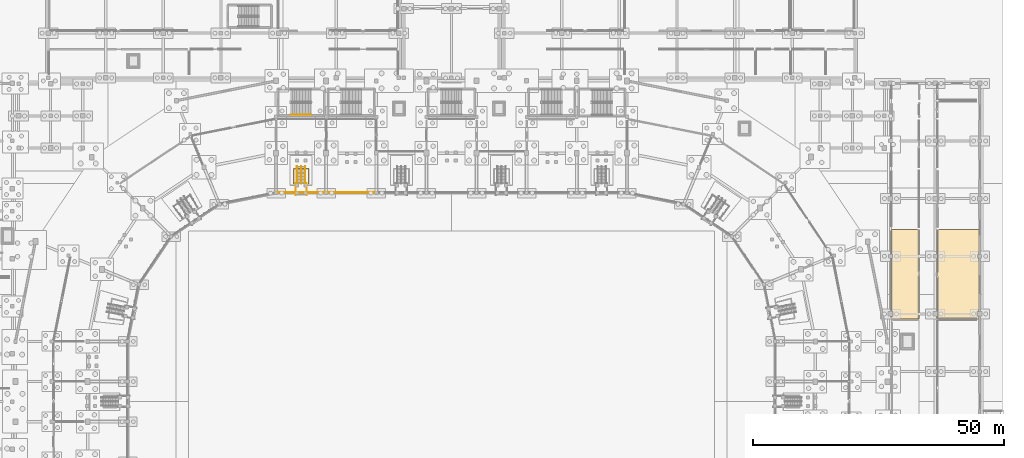
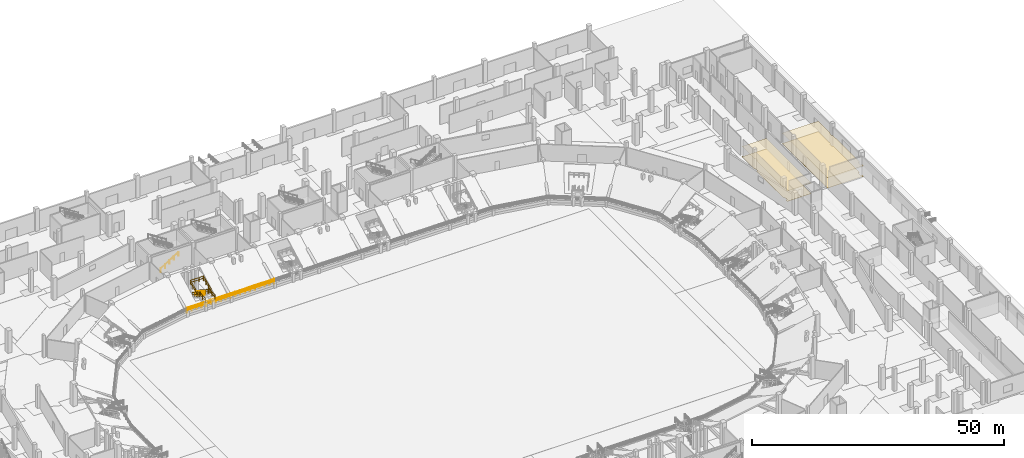
# One storey, part 62 of 68: 7 railings, 4 coverings.
"""IFC4 building model written with IfcOpenShell, lengths in metres."""

from ifc_helpers import new_model, si_unit, direction, frame, origin, origin_2d, place, context, subcontext, project, spatial, polyline, circle, outline, extrude, material, layer, layer_set, type_object, element, save


model = new_model("IFC4")

# Units and contexts
model_context = context("Model", 3, precision=1e-05, world=origin(), true_north=direction((0.0, 1.0)))
body_context = subcontext(model_context, "Body", "Model", "MODEL_VIEW")
ifc_project = project(units=[si_unit("LENGTHUNIT", "METRE"), si_unit("AREAUNIT", "SQUARE_METRE"), si_unit("VOLUMEUNIT", "CUBIC_METRE"), si_unit("PLANEANGLEUNIT", "RADIAN"), si_unit("MASSUNIT", "GRAM", prefix="KILO")], contexts=[model_context])

# Site, building, storey
site_placement = place(None, origin())
site = spatial("IfcSite", under=ifc_project, at=site_placement, CompositionType="ELEMENT")
building_placement = place(site_placement, origin())
building = spatial("IfcBuilding", under=site, at=building_placement, Name="Candeia Ridge Stadium", CompositionType="ELEMENT")
storey_placement = place(building_placement, origin())
storey = spatial("IfcBuildingStorey", under=building, at=storey_placement, Name="L00", CompositionType="ELEMENT", Elevation=0.0)

# Coverings
ifc_material_1 = material(Name="Perforated Acoustic Gypsum", Category="gypsum")
ifc_layer_1 = layer(ifc_material_1, 0.034912109375, Name="Perforated Acoustic Gypsum", Category="gypsum")
ifc_layer_set_1 = layer_set([ifc_layer_1], Name="Perforated Acoustic Gypsum")
covering_type_1 = type_object("IfcCoveringType", Name="Perforated Gypsum Acoustic Ceiling 35", PredefinedType="CEILING", material=ifc_layer_set_1)
covering_1_placement = place(storey_placement, frame((0.0, 0.0, 2.510009765625)))
element("IfcCovering", 1, at=covering_1_placement, inside=storey, type_object=covering_type_1, Name="Acoustic ceiling Field Broadcast OB Interface & Mixed Zone West Bay", PredefinedType="CEILING", context=body_context, shape_type="SweptSolid", body=[
    extrude(outline(polyline([(193.794189453125, 99.470703125), (193.791259765625, 99.47119140625), (193.78857421875, 99.472412109375), (193.785888671875, 99.473388671875), (193.783203125, 99.47509765625), (193.781005859375, 99.476806640625), (193.77880859375, 99.478759765625), (193.77685546875, 99.48095703125), (193.775146484375, 99.4833984375), (193.7734375, 99.48583984375), (193.772216796875, 99.488525390625), (193.771240234375, 99.4912109375), (193.7705078125, 99.494140625), (193.77001953125, 99.4970703125), (193.77001953125, 99.5), (193.77001953125, 100.010009765625), (194.090087890625, 100.010009765625), (194.090087890625, 100.989990234375), (193.77001953125, 100.989990234375), (193.77001953125, 111.610107421875), (193.989990234375, 111.610107421875), (193.989990234375, 112.389892578125), (193.77001953125, 112.389892578125), (193.77001953125, 117.300048828125), (193.77001953125, 117.302978515625), (193.7705078125, 117.305908203125), (193.771240234375, 117.30859375), (193.772216796875, 117.3115234375), (193.7734375, 117.314208984375), (193.775146484375, 117.316650390625), (193.77685546875, 117.319091796875), (193.77880859375, 117.3212890625), (193.781005859375, 117.3232421875), (193.783203125, 117.324951171875), (193.785888671875, 117.326416015625), (193.78857421875, 117.32763671875), (193.791259765625, 117.32861328125), (193.794189453125, 117.329345703125), (193.797119140625, 117.329833984375), (193.800048828125, 117.330078125), (199.300048828125, 117.330078125), (199.302978515625, 117.329833984375), (199.305908203125, 117.329345703125), (199.30859375, 117.32861328125), (199.3115234375, 117.32763671875), (199.314208984375, 117.326416015625), (199.316650390625, 117.324951171875), (199.319091796875, 117.3232421875), (199.3212890625, 117.3212890625), (199.3232421875, 117.319091796875), (199.324951171875, 117.316650390625), (199.326416015625, 117.314208984375), (199.32763671875, 117.3115234375), (199.32861328125, 117.30859375), (199.329345703125, 117.305908203125), (199.329833984375, 117.302978515625), (199.330078125, 117.300048828125), (199.330078125, 99.5), (199.329833984375, 99.4970703125), (199.329345703125, 99.494140625), (199.32861328125, 99.4912109375), (199.32763671875, 99.488525390625), (199.326416015625, 99.48583984375), (199.324951171875, 99.4833984375), (199.3232421875, 99.48095703125), (199.3212890625, 99.478759765625), (199.319091796875, 99.476806640625), (199.316650390625, 99.47509765625), (199.314208984375, 99.473388671875), (199.3115234375, 99.472412109375), (199.30859375, 99.47119140625), (199.305908203125, 99.470703125), (199.302978515625, 99.47021484375), (199.300048828125, 99.469970703125), (193.800048828125, 99.469970703125), (193.797119140625, 99.47021484375), (193.794189453125, 99.470703125)])), origin(), (0.0, 0.0, 1.0), 0.0400390625),
])
covering_2_placement = place(storey_placement, frame((0.0, 0.0, 2.510009765625)))
element("IfcCovering", 2, at=covering_2_placement, inside=storey, type_object=covering_type_1, Name="Acoustic ceiling Field Broadcast OB Interface & Mixed Zone", PredefinedType="CEILING", context=body_context, shape_type="SweptSolid", body=[
    extrude(outline(polyline([(202.994140625, 99.470703125), (202.9912109375, 99.47119140625), (202.988525390625, 99.472412109375), (202.98583984375, 99.473388671875), (202.9833984375, 99.47509765625), (202.98095703125, 99.476806640625), (202.978759765625, 99.478759765625), (202.976806640625, 99.48095703125), (202.97509765625, 99.4833984375), (202.973388671875, 99.48583984375), (202.972412109375, 99.488525390625), (202.97119140625, 99.4912109375), (202.970703125, 99.494140625), (202.97021484375, 99.4970703125), (202.969970703125, 99.5), (202.969970703125, 100.010009765625), (202.989990234375, 100.010009765625), (202.989990234375, 100.989990234375), (202.969970703125, 100.989990234375), (202.969970703125, 117.300048828125), (202.97021484375, 117.302978515625), (202.970703125, 117.305908203125), (202.97119140625, 117.30859375), (202.972412109375, 117.3115234375), (202.973388671875, 117.314208984375), (202.97509765625, 117.316650390625), (202.976806640625, 117.319091796875), (202.978759765625, 117.3212890625), (202.98095703125, 117.3232421875), (202.9833984375, 117.324951171875), (202.98583984375, 117.326416015625), (202.988525390625, 117.32763671875), (202.9912109375, 117.32861328125), (202.994140625, 117.329345703125), (202.9970703125, 117.329833984375), (203.0, 117.330078125), (211.199951171875, 117.330078125), (211.202880859375, 117.329833984375), (211.205810546875, 117.329345703125), (211.208740234375, 117.32861328125), (211.21142578125, 117.32763671875), (211.214111328125, 117.326416015625), (211.216796875, 117.324951171875), (211.218994140625, 117.3232421875), (211.22119140625, 117.3212890625), (211.22314453125, 117.319091796875), (211.224853515625, 117.316650390625), (211.2265625, 117.314208984375), (211.227783203125, 117.3115234375), (211.228759765625, 117.30859375), (211.2294921875, 117.305908203125), (211.22998046875, 117.302978515625), (211.22998046875, 117.300048828125), (211.22998046875, 112.389892578125), (211.010009765625, 112.389892578125), (211.010009765625, 111.610107421875), (211.22998046875, 111.610107421875), (211.22998046875, 100.989990234375), (210.909912109375, 100.989990234375), (210.909912109375, 100.010009765625), (211.22998046875, 100.010009765625), (211.22998046875, 99.5), (211.22998046875, 99.4970703125), (211.2294921875, 99.494140625), (211.228759765625, 99.4912109375), (211.227783203125, 99.488525390625), (211.2265625, 99.48583984375), (211.224853515625, 99.4833984375), (211.22314453125, 99.48095703125), (211.22119140625, 99.478759765625), (211.218994140625, 99.476806640625), (211.216796875, 99.47509765625), (211.214111328125, 99.473388671875), (211.21142578125, 99.472412109375), (211.208740234375, 99.47119140625), (211.205810546875, 99.470703125), (211.202880859375, 99.47021484375), (211.199951171875, 99.469970703125), (203.0, 99.469970703125), (202.9970703125, 99.47021484375), (202.994140625, 99.470703125)])), origin(), (0.0, 0.0, 1.0), 0.0400390625),
])
ifc_material_2 = material(Name="Basalt Terrazzo Finish", Category="masonry")
ifc_layer_2 = layer(ifc_material_2, 0.02490234375, Name="Basalt Terrazzo Finish", Category="masonry")
ifc_layer_set_2 = layer_set([ifc_layer_2], Name="Basalt Terrazzo Finish")
covering_type_2 = type_object("IfcCoveringType", Name="Polished Basalt Terrazzo Flooring 25", PredefinedType="FLOORING", material=ifc_layer_set_2)
covering_3_placement = place(storey_placement, origin())
element("IfcCovering", 3, at=covering_3_placement, inside=storey, type_object=covering_type_2, Name="Interior finish flooring Field Broadcast OB Interface & Mixed Zone West Bay", PredefinedType="FLOORING", context=body_context, shape_type="SweptSolid", body=[
    extrude(outline(polyline([(193.794189453125, 99.470703125), (193.791259765625, 99.47119140625), (193.78857421875, 99.472412109375), (193.785888671875, 99.473388671875), (193.783203125, 99.47509765625), (193.781005859375, 99.476806640625), (193.77880859375, 99.478759765625), (193.77685546875, 99.48095703125), (193.775146484375, 99.4833984375), (193.7734375, 99.48583984375), (193.772216796875, 99.488525390625), (193.771240234375, 99.4912109375), (193.7705078125, 99.494140625), (193.77001953125, 99.4970703125), (193.77001953125, 99.5), (193.77001953125, 100.010009765625), (194.090087890625, 100.010009765625), (194.090087890625, 100.989990234375), (193.77001953125, 100.989990234375), (193.77001953125, 111.610107421875), (193.989990234375, 111.610107421875), (193.989990234375, 112.389892578125), (193.77001953125, 112.389892578125), (193.77001953125, 117.300048828125), (193.77001953125, 117.302978515625), (193.7705078125, 117.305908203125), (193.771240234375, 117.30859375), (193.772216796875, 117.3115234375), (193.7734375, 117.314208984375), (193.775146484375, 117.316650390625), (193.77685546875, 117.319091796875), (193.77880859375, 117.3212890625), (193.781005859375, 117.3232421875), (193.783203125, 117.324951171875), (193.785888671875, 117.326416015625), (193.78857421875, 117.32763671875), (193.791259765625, 117.32861328125), (193.794189453125, 117.329345703125), (193.797119140625, 117.329833984375), (193.800048828125, 117.330078125), (199.300048828125, 117.330078125), (199.302978515625, 117.329833984375), (199.305908203125, 117.329345703125), (199.30859375, 117.32861328125), (199.3115234375, 117.32763671875), (199.314208984375, 117.326416015625), (199.316650390625, 117.324951171875), (199.319091796875, 117.3232421875), (199.3212890625, 117.3212890625), (199.3232421875, 117.319091796875), (199.324951171875, 117.316650390625), (199.326416015625, 117.314208984375), (199.32763671875, 117.3115234375), (199.32861328125, 117.30859375), (199.329345703125, 117.305908203125), (199.329833984375, 117.302978515625), (199.330078125, 117.300048828125), (199.330078125, 99.5), (199.329833984375, 99.4970703125), (199.329345703125, 99.494140625), (199.32861328125, 99.4912109375), (199.32763671875, 99.488525390625), (199.326416015625, 99.48583984375), (199.324951171875, 99.4833984375), (199.3232421875, 99.48095703125), (199.3212890625, 99.478759765625), (199.319091796875, 99.476806640625), (199.316650390625, 99.47509765625), (199.314208984375, 99.473388671875), (199.3115234375, 99.472412109375), (199.30859375, 99.47119140625), (199.305908203125, 99.470703125), (199.302978515625, 99.47021484375), (199.300048828125, 99.469970703125), (193.800048828125, 99.469970703125), (193.797119140625, 99.47021484375), (193.794189453125, 99.470703125)])), origin(), (0.0, 0.0, 1.0), 0.02001953125),
])
covering_4_placement = place(storey_placement, origin())
element("IfcCovering", 4, at=covering_4_placement, inside=storey, type_object=covering_type_2, Name="Interior finish flooring Field Broadcast OB Interface & Mixed Zone", PredefinedType="FLOORING", context=body_context, shape_type="SweptSolid", body=[
    extrude(outline(polyline([(202.994140625, 99.470703125), (202.9912109375, 99.47119140625), (202.988525390625, 99.472412109375), (202.98583984375, 99.473388671875), (202.9833984375, 99.47509765625), (202.98095703125, 99.476806640625), (202.978759765625, 99.478759765625), (202.976806640625, 99.48095703125), (202.97509765625, 99.4833984375), (202.973388671875, 99.48583984375), (202.972412109375, 99.488525390625), (202.97119140625, 99.4912109375), (202.970703125, 99.494140625), (202.97021484375, 99.4970703125), (202.969970703125, 99.5), (202.969970703125, 100.010009765625), (202.989990234375, 100.010009765625), (202.989990234375, 100.989990234375), (202.969970703125, 100.989990234375), (202.969970703125, 117.300048828125), (202.97021484375, 117.302978515625), (202.970703125, 117.305908203125), (202.97119140625, 117.30859375), (202.972412109375, 117.3115234375), (202.973388671875, 117.314208984375), (202.97509765625, 117.316650390625), (202.976806640625, 117.319091796875), (202.978759765625, 117.3212890625), (202.98095703125, 117.3232421875), (202.9833984375, 117.324951171875), (202.98583984375, 117.326416015625), (202.988525390625, 117.32763671875), (202.9912109375, 117.32861328125), (202.994140625, 117.329345703125), (202.9970703125, 117.329833984375), (203.0, 117.330078125), (211.199951171875, 117.330078125), (211.202880859375, 117.329833984375), (211.205810546875, 117.329345703125), (211.208740234375, 117.32861328125), (211.21142578125, 117.32763671875), (211.214111328125, 117.326416015625), (211.216796875, 117.324951171875), (211.218994140625, 117.3232421875), (211.22119140625, 117.3212890625), (211.22314453125, 117.319091796875), (211.224853515625, 117.316650390625), (211.2265625, 117.314208984375), (211.227783203125, 117.3115234375), (211.228759765625, 117.30859375), (211.2294921875, 117.305908203125), (211.22998046875, 117.302978515625), (211.22998046875, 117.300048828125), (211.22998046875, 112.389892578125), (211.010009765625, 112.389892578125), (211.010009765625, 111.610107421875), (211.22998046875, 111.610107421875), (211.22998046875, 100.989990234375), (210.909912109375, 100.989990234375), (210.909912109375, 100.010009765625), (211.22998046875, 100.010009765625), (211.22998046875, 99.5), (211.22998046875, 99.4970703125), (211.2294921875, 99.494140625), (211.228759765625, 99.4912109375), (211.227783203125, 99.488525390625), (211.2265625, 99.48583984375), (211.224853515625, 99.4833984375), (211.22314453125, 99.48095703125), (211.22119140625, 99.478759765625), (211.218994140625, 99.476806640625), (211.216796875, 99.47509765625), (211.214111328125, 99.473388671875), (211.21142578125, 99.472412109375), (211.208740234375, 99.47119140625), (211.205810546875, 99.470703125), (211.202880859375, 99.47021484375), (211.199951171875, 99.469970703125), (203.0, 99.469970703125), (202.9970703125, 99.47021484375), (202.994140625, 99.470703125)])), origin(), (0.0, 0.0, 1.0), 0.02001953125),
])

# Railings
ifc_material_3 = material(Name="Galvanized Powder-Coated Steel", Category="steel")
ifc_layer_3 = layer(ifc_material_3, 0.074951171875, Name="Galvanized Powder-Coated Steel", Category="steel")
ifc_layer_set_3 = layer_set([ifc_layer_3], Name="Galvanized Powder-Coated Steel")
railing_type_1 = type_object("IfcRailingType", Name="Spectator Bowl Front Guardrail 1120", PredefinedType="GUARDRAIL", material=ifc_layer_set_3)
for number, where, name in (
    (5, (91.0, 124.719970703125, 0.85009765625), "Stand T1 front safety guardrail bay 06"),
    (6, (81.0, 124.719970703125, 0.85009765625), "Stand T1 front safety guardrail bay 07"),
):
    element("IfcRailing", number, at=place(storey_placement, frame(where)), inside=storey, type_object=railing_type_1, Name=name, PredefinedType="GUARDRAIL", context=body_context, shape_type="SweptSolid", body=[
        extrude(circle(Radius=0.02392578125, at=origin_2d()), frame((0.0, 0.0, 1.09619140625), z_axis=(-1.0, 0.0, 0.0), x_axis=(0.0, -1.0, 0.0)), (0.0, 0.0, 1.0), 10.0),
        extrude(circle(Radius=0.02392578125, at=origin_2d()), frame((0.0, 0.0, 0.56005859375), z_axis=(-1.0, 0.0, 0.0), x_axis=(0.0, -1.0, 0.0)), (0.0, 0.0, 1.0), 10.0),
        extrude(circle(Radius=0.02099609375, at=origin_2d()), origin(), (0.0, 0.0, 1.0), 1.072021484375),
        extrude(circle(Radius=0.02099609375, at=origin_2d()), frame((-1.111083984375, 0.0, 0.0)), (0.0, 0.0, 1.0), 1.072021484375),
        extrude(circle(Radius=0.02099609375, at=origin_2d()), frame((-2.22216796875, 0.0, 0.0)), (0.0, 0.0, 1.0), 1.072021484375),
        extrude(circle(Radius=0.02099609375, at=origin_2d()), frame((-3.333251953125, 0.0, 0.0)), (0.0, 0.0, 1.0), 1.072021484375),
        extrude(circle(Radius=0.02099609375, at=origin_2d()), frame((-4.4443359375, 0.0, 0.0)), (0.0, 0.0, 1.0), 1.072021484375),
        extrude(circle(Radius=0.02099609375, at=origin_2d()), frame((-5.5556640625, 0.0, 0.0)), (0.0, 0.0, 1.0), 1.072021484375),
        extrude(circle(Radius=0.02099609375, at=origin_2d()), frame((-6.666748046875, 0.0, 0.0)), (0.0, 0.0, 1.0), 1.072021484375),
        extrude(circle(Radius=0.02099609375, at=origin_2d()), frame((-7.77783203125, 0.0, 0.0)), (0.0, 0.0, 1.0), 1.072021484375),
        extrude(circle(Radius=0.02099609375, at=origin_2d()), frame((-8.888916015625, 0.0, 0.0)), (0.0, 0.0, 1.0), 1.072021484375),
        extrude(circle(Radius=0.02099609375, at=origin_2d()), frame((-10.0, 0.0, 0.0)), (0.0, 0.0, 1.0), 1.072021484375),
    ])
ifc_material_4 = material(Name="Brushed Stainless Steel", Category="steel")
ifc_layer_4 = layer(ifc_material_4, 0.048095703125, Name="Brushed Stainless Steel", Category="steel")
ifc_layer_set_4 = layer_set([ifc_layer_4], Name="Brushed Stainless Steel")
railing_type_2 = type_object("IfcRailingType", Name="Stair Wall & Flight Handrail 900", PredefinedType="HANDRAIL", material=ifc_layer_set_4)
railing_1_placement = place(storey_placement, frame((73.949951171875, 140.25, 0.179931640625)))
element("IfcRailing", 7, at=railing_1_placement, inside=storey, type_object=railing_type_2, Name="L00 ST01 stair handrail 1", PredefinedType="HANDRAIL", context=body_context, shape_type="SweptSolid", body=[
    extrude(circle(Radius=0.02392578125, at=origin_2d()), frame((0.0, 0.0, 0.8759765625), z_axis=(0.849641744969, 0.0, 0.527360318194), x_axis=(0.0, 1.0, 0.0)), (0.0, 0.0, 1.0), 4.778564453125),
    extrude(circle(Radius=0.02099609375, at=origin_2d()), origin(), (0.0, 0.0, 1.0), 0.851806640625),
    extrude(circle(Radius=0.02099609375, at=origin_2d()), frame((1.01513671875, 0.0, 0.6298828125)), (0.0, 0.0, 1.0), 0.851806640625),
    extrude(circle(Radius=0.02099609375, at=origin_2d()), frame((2.030029296875, 0.0, 1.260009765625)), (0.0, 0.0, 1.0), 0.851806640625),
    extrude(circle(Radius=0.02099609375, at=origin_2d()), frame((3.044921875, 0.0, 1.89013671875)), (0.0, 0.0, 1.0), 0.851806640625),
    extrude(circle(Radius=0.02099609375, at=origin_2d()), frame((4.06005859375, 0.0, 2.52001953125)), (0.0, 0.0, 1.0), 0.851806640625),
])
railing_2_placement = place(storey_placement, frame((76.0, 129.89208984375, 0.17236328125)))
element("IfcRailing", 8, at=railing_2_placement, inside=storey, type_object=railing_type_2, Name="Vomitory stair handrail VS04", PredefinedType="HANDRAIL", context=body_context, shape_type="SweptSolid", body=[
    extrude(circle(Radius=0.02392578125, at=origin_2d()), frame((0.0, 0.0, 0.8759765625), z_axis=(0.0, -0.855774125036, 0.517349637014), x_axis=(1.0, 0.0, 0.0)), (0.0, 0.0, 1.0), 3.99658203125),
    extrude(circle(Radius=0.02099609375, at=origin_2d()), origin(), (0.0, 0.0, 1.0), 0.851806640625),
    extrude(circle(Radius=0.02099609375, at=origin_2d()), frame((0.0, -0.85498046875, 0.516845703125)), (0.0, 0.0, 1.0), 0.851806640625),
    extrude(circle(Radius=0.02099609375, at=origin_2d()), frame((0.0, -1.7099609375, 1.03369140625)), (0.0, 0.0, 1.0), 0.851806640625),
    extrude(circle(Radius=0.02099609375, at=origin_2d()), frame((0.0, -2.565185546875, 1.55078125)), (0.0, 0.0, 1.0), 0.851806640625),
    extrude(circle(Radius=0.02099609375, at=origin_2d()), frame((0.0, -3.420166015625, 2.067626953125)), (0.0, 0.0, 1.0), 0.851806640625),
])
ifc_layer_5 = layer(ifc_material_3, 0.070068359375, Name="Galvanized Powder-Coated Steel", Category="steel")
ifc_layer_set_5 = layer_set([ifc_layer_5], Name="Galvanized Powder-Coated Steel")
railing_type_3 = type_object("IfcRailingType", Name="Vomitory Portal Guardrail 1100", PredefinedType="GUARDRAIL", material=ifc_layer_set_5)
railing_3_placement = place(storey_placement, frame((77.5, 126.471923828125, 2.239990234375)))
element("IfcRailing", 9, at=railing_3_placement, inside=storey, type_object=railing_type_3, Name="Vomitory portal guardrail VS04", PredefinedType="GUARDRAIL", context=body_context, shape_type="SweptSolid", body=[
    extrude(circle(Radius=0.02392578125, at=origin_2d()), frame((0.0, 0.0, 1.076171875), z_axis=(0.0, 0.92538053309, 0.379039402937), x_axis=(-1.0, 0.0, 0.0)), (0.0, 0.0, 1.0), 3.203125),
    extrude(circle(Radius=0.02392578125, at=origin_2d()), frame((0.0, 0.0, 0.550048828125), z_axis=(0.0, 0.92538053309, 0.379039402937), x_axis=(-1.0, 0.0, 0.0)), (0.0, 0.0, 1.0), 3.203125),
    extrude(circle(Radius=0.02392578125, at=origin_2d()), frame((0.0, 2.964111328125, 2.2900390625), z_axis=(-1.0, 0.0, 0.0), x_axis=(0.0, -1.0, 0.0)), (0.0, 0.0, 1.0), 3.0),
    extrude(circle(Radius=0.02392578125, at=origin_2d()), frame((0.0, 2.964111328125, 1.76416015625), z_axis=(-1.0, 0.0, 0.0), x_axis=(0.0, -1.0, 0.0)), (0.0, 0.0, 1.0), 3.0),
    extrude(circle(Radius=0.02392578125, at=origin_2d()), frame((-3.0, 2.964111328125, 2.2900390625), z_axis=(0.0, -0.92538053309, -0.379039402937), x_axis=(1.0, 0.0, 0.0)), (0.0, 0.0, 1.0), 3.203125),
    extrude(circle(Radius=0.02392578125, at=origin_2d()), frame((-3.0, 2.964111328125, 1.76416015625), z_axis=(0.0, -0.92538053309, -0.379039402937), x_axis=(1.0, 0.0, 0.0)), (0.0, 0.0, 1.0), 3.203125),
    extrude(circle(Radius=0.02099609375, at=origin_2d()), origin(), (0.0, 0.0, 1.0), 1.052001953125),
    extrude(circle(Radius=0.02099609375, at=origin_2d()), frame((0.0, 0.988037109375, 0.40478515625)), (0.0, 0.0, 1.0), 1.052001953125),
    extrude(circle(Radius=0.02099609375, at=origin_2d()), frame((0.0, 1.97607421875, 0.809326171875)), (0.0, 0.0, 1.0), 1.052001953125),
    extrude(circle(Radius=0.02099609375, at=origin_2d()), frame((0.0, 2.964111328125, 1.214111328125)), (0.0, 0.0, 1.0), 1.052001953125),
    extrude(circle(Radius=0.02099609375, at=origin_2d()), frame((-1.0, 2.964111328125, 1.214111328125)), (0.0, 0.0, 1.0), 1.052001953125),
    extrude(circle(Radius=0.02099609375, at=origin_2d()), frame((-2.0, 2.964111328125, 1.214111328125)), (0.0, 0.0, 1.0), 1.052001953125),
    extrude(circle(Radius=0.02099609375, at=origin_2d()), frame((-3.0, 2.964111328125, 1.214111328125)), (0.0, 0.0, 1.0), 1.052001953125),
    extrude(circle(Radius=0.02099609375, at=origin_2d()), frame((-3.0, 1.97607421875, 0.809326171875)), (0.0, 0.0, 1.0), 1.052001953125),
    extrude(circle(Radius=0.02099609375, at=origin_2d()), frame((-3.0, 0.988037109375, 0.40478515625)), (0.0, 0.0, 1.0), 1.052001953125),
    extrude(circle(Radius=0.02099609375, at=origin_2d()), frame((-3.0, 0.0, 0.0)), (0.0, 0.0, 1.0), 1.052001953125),
])
railing_4_placement = place(storey_placement, frame((76.820068359375, 129.89208984375, 0.0)))
element("IfcRailing", 10, at=railing_4_placement, inside=storey, type_object=railing_type_3, Name="Vomitory stair & landing side guardrail VS04-L", PredefinedType="GUARDRAIL", context=body_context, shape_type="SweptSolid", body=[
    extrude(circle(Radius=0.02392578125, at=origin_2d()), frame((0.0, 0.0, 1.076171875), z_axis=(0.0, -0.836551734384, 0.547887940822), x_axis=(1.0, 0.0, 0.0)), (0.0, 0.0, 1.0), 4.08837890625),
    extrude(circle(Radius=0.02392578125, at=origin_2d()), frame((0.0, 0.0, 0.550048828125), z_axis=(0.0, -0.836551734384, 0.547887940822), x_axis=(1.0, 0.0, 0.0)), (0.0, 0.0, 1.0), 4.08837890625),
    extrude(circle(Radius=0.02392578125, at=origin_2d()), frame((0.0, -3.420166015625, 3.31591796875), z_axis=(0.989932225045, 0.141542183877, 0.0), x_axis=(-0.141542183877, 0.989932225045, 0.0)), (0.0, 0.0, 1.0), 0.282958984375),
    extrude(circle(Radius=0.02392578125, at=origin_2d()), frame((0.0, -3.420166015625, 2.7900390625), z_axis=(0.989932225045, 0.141542183877, 0.0), x_axis=(-0.141542183877, 0.989932225045, 0.0)), (0.0, 0.0, 1.0), 0.282958984375),
    extrude(circle(Radius=0.02392578125, at=origin_2d()), frame((0.280029296875, -3.380126953125, 3.31591796875), z_axis=(0.0, -1.0, 0.0), x_axis=(1.0, 0.0, 0.0)), (0.0, 0.0, 1.0), 2.320068359375),
    extrude(circle(Radius=0.02392578125, at=origin_2d()), frame((0.280029296875, -3.380126953125, 2.7900390625), z_axis=(0.0, -1.0, 0.0), x_axis=(1.0, 0.0, 0.0)), (0.0, 0.0, 1.0), 2.320068359375),
    extrude(circle(Radius=0.02099609375, at=origin_2d()), origin(), (0.0, 0.0, 1.0), 1.052001953125),
    extrude(circle(Radius=0.02099609375, at=origin_2d()), frame((0.0, -0.85498046875, 0.56005859375)), (0.0, 0.0, 1.0), 1.052001953125),
    extrude(circle(Radius=0.02099609375, at=origin_2d()), frame((0.0, -1.7099609375, 1.1201171875)), (0.0, 0.0, 1.0), 1.052001953125),
    extrude(circle(Radius=0.02099609375, at=origin_2d()), frame((0.0, -2.565185546875, 1.679931640625)), (0.0, 0.0, 1.0), 1.052001953125),
    extrude(circle(Radius=0.02099609375, at=origin_2d()), frame((0.0, -3.420166015625, 2.239990234375)), (0.0, 0.0, 1.0), 1.052001953125),
    extrude(circle(Radius=0.02099609375, at=origin_2d()), frame((0.280029296875, -3.380126953125, 2.239990234375)), (0.0, 0.0, 1.0), 1.052001953125),
    extrude(circle(Radius=0.02099609375, at=origin_2d()), frame((0.280029296875, -4.5400390625, 2.239990234375)), (0.0, 0.0, 1.0), 1.052001953125),
    extrude(circle(Radius=0.02099609375, at=origin_2d()), frame((0.280029296875, -5.7001953125, 2.239990234375)), (0.0, 0.0, 1.0), 1.052001953125),
])
railing_5_placement = place(storey_placement, frame((75.179931640625, 129.89208984375, 0.0)))
element("IfcRailing", 11, at=railing_5_placement, inside=storey, type_object=railing_type_3, Name="Vomitory stair & landing side guardrail VS04-R", PredefinedType="GUARDRAIL", context=body_context, shape_type="SweptSolid", body=[
    extrude(circle(Radius=0.02392578125, at=origin_2d()), frame((0.0, 0.0, 1.076171875), z_axis=(0.0, -0.836551734384, 0.547887940822), x_axis=(1.0, 0.0, 0.0)), (0.0, 0.0, 1.0), 4.08837890625),
    extrude(circle(Radius=0.02392578125, at=origin_2d()), frame((0.0, 0.0, 0.550048828125), z_axis=(0.0, -0.836551734384, 0.547887940822), x_axis=(1.0, 0.0, 0.0)), (0.0, 0.0, 1.0), 4.08837890625),
    extrude(circle(Radius=0.02392578125, at=origin_2d()), frame((0.0, -3.420166015625, 3.31591796875), z_axis=(-0.989932225045, 0.141542183877, 0.0), x_axis=(-0.141542183877, -0.989932225045, 0.0)), (0.0, 0.0, 1.0), 0.282958984375),
    extrude(circle(Radius=0.02392578125, at=origin_2d()), frame((0.0, -3.420166015625, 2.7900390625), z_axis=(-0.989932225045, 0.141542183877, 0.0), x_axis=(-0.141542183877, -0.989932225045, 0.0)), (0.0, 0.0, 1.0), 0.282958984375),
    extrude(circle(Radius=0.02392578125, at=origin_2d()), frame((-0.280029296875, -3.380126953125, 3.31591796875), z_axis=(0.0, -1.0, 0.0), x_axis=(1.0, 0.0, 0.0)), (0.0, 0.0, 1.0), 2.320068359375),
    extrude(circle(Radius=0.02392578125, at=origin_2d()), frame((-0.280029296875, -3.380126953125, 2.7900390625), z_axis=(0.0, -1.0, 0.0), x_axis=(1.0, 0.0, 0.0)), (0.0, 0.0, 1.0), 2.320068359375),
    extrude(circle(Radius=0.02099609375, at=origin_2d()), origin(), (0.0, 0.0, 1.0), 1.052001953125),
    extrude(circle(Radius=0.02099609375, at=origin_2d()), frame((0.0, -0.85498046875, 0.56005859375)), (0.0, 0.0, 1.0), 1.052001953125),
    extrude(circle(Radius=0.02099609375, at=origin_2d()), frame((0.0, -1.7099609375, 1.1201171875)), (0.0, 0.0, 1.0), 1.052001953125),
    extrude(circle(Radius=0.02099609375, at=origin_2d()), frame((0.0, -2.565185546875, 1.679931640625)), (0.0, 0.0, 1.0), 1.052001953125),
    extrude(circle(Radius=0.02099609375, at=origin_2d()), frame((0.0, -3.420166015625, 2.239990234375)), (0.0, 0.0, 1.0), 1.052001953125),
    extrude(circle(Radius=0.02099609375, at=origin_2d()), frame((-0.280029296875, -3.380126953125, 2.239990234375)), (0.0, 0.0, 1.0), 1.052001953125),
    extrude(circle(Radius=0.02099609375, at=origin_2d()), frame((-0.280029296875, -4.5400390625, 2.239990234375)), (0.0, 0.0, 1.0), 1.052001953125),
    extrude(circle(Radius=0.02099609375, at=origin_2d()), frame((-0.280029296875, -5.7001953125, 2.239990234375)), (0.0, 0.0, 1.0), 1.052001953125),
])

save(model, "model.ifc")
